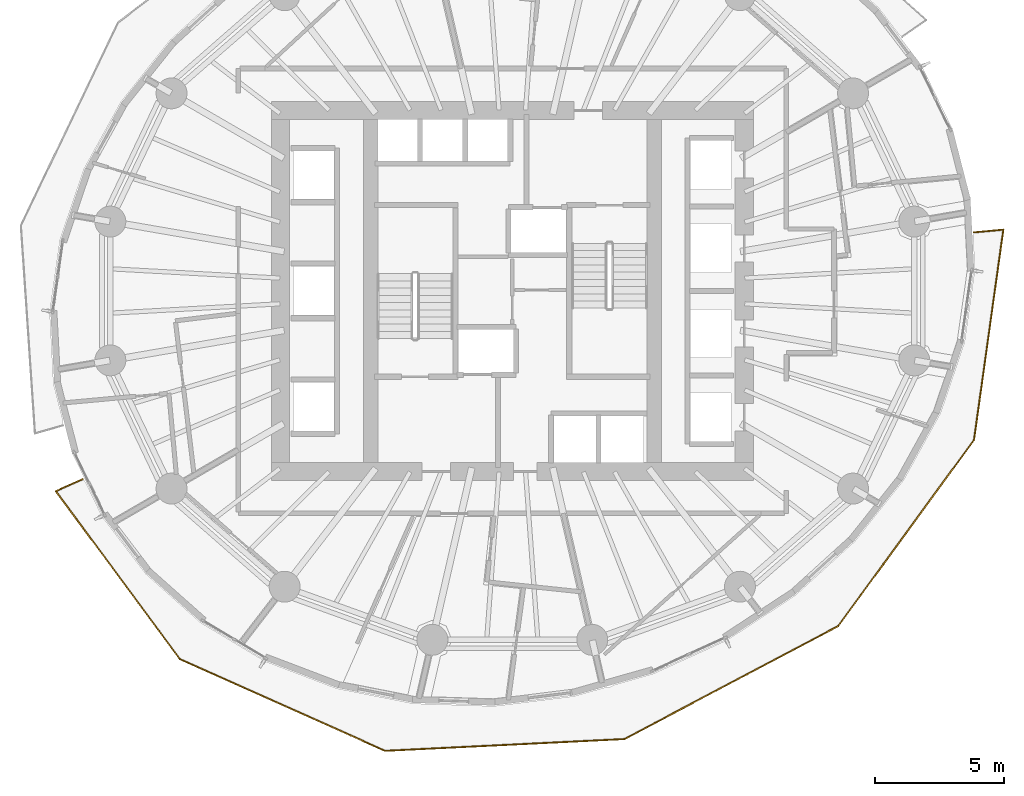
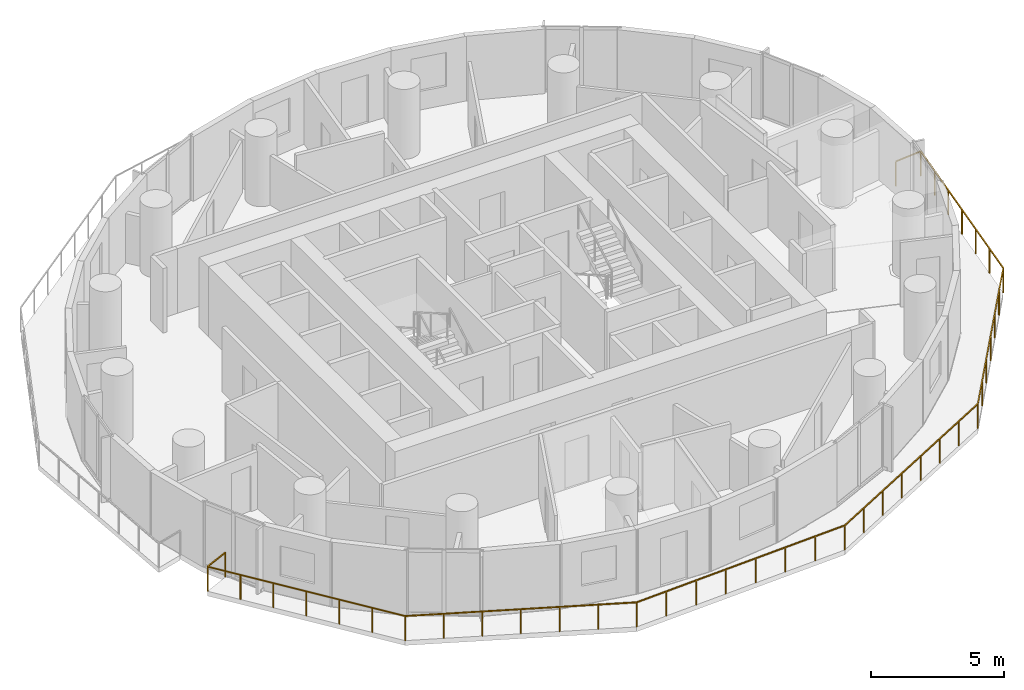
# One storey, part 12 of 14: 1 railing.
"""IFC4 building model written with IfcOpenShell, lengths in metres."""

from ifc_helpers import new_model, si_unit, direction, frame, origin, origin_2d, place, context, subcontext, project, spatial, rectangle, extrude, material, type_object, element, save


model = new_model("IFC4")

# Units and contexts
model_context = context("Model", 3, precision=1e-05, world=origin(), true_north=direction((0.0, 1.0)))
body_context = subcontext(model_context, "Body", "Model", "MODEL_VIEW")
ifc_project = project(units=[si_unit("LENGTHUNIT", "METRE"), si_unit("AREAUNIT", "SQUARE_METRE"), si_unit("VOLUMEUNIT", "CUBIC_METRE"), si_unit("PLANEANGLEUNIT", "RADIAN"), si_unit("MASSUNIT", "GRAM", prefix="KILO")], contexts=[model_context])

# Site, building, storey
site_placement = place(None, origin())
site = spatial("IfcSite", under=ifc_project, at=site_placement, CompositionType="ELEMENT")
building_placement = place(site_placement, origin())
building = spatial("IfcBuilding", under=site, at=building_placement, Name="Veldorim Arch Residences", CompositionType="ELEMENT")
storey_placement = place(building_placement, frame((0.0, 0.0, 90.080078125)))
storey = spatial("IfcBuildingStorey", under=building, at=storey_placement, Name="L26", CompositionType="ELEMENT", Elevation=90.080078125)

# Railing
ifc_material = material(Name="Aluminium", Category="aluminium")
railing_type = type_object("IfcRailingType", Name="Balcony & Terrace Laminated Glass Balustrade 1150", PredefinedType="BALUSTRADE", material=ifc_material)
railing_placement = place(storey_placement, frame((15.339111328125, 16.70263671875, 0.0)))
element("IfcRailing", 1, at=railing_placement, inside=storey, type_object=railing_type, Name="L26 crescent balcony safety balustrade B", PredefinedType="BALUSTRADE", context=body_context, shape_type="SweptSolid", body=[
    extrude(rectangle(XDim=0.048095703125, YDim=0.048095703125, at=origin_2d()), frame((0.0, 0.0, 1.1259765625), z_axis=(-0.912211245707, -0.40972020112, 0.0), x_axis=(0.40972020112, -0.912211245707, 0.0)), (0.0, 0.0, 1.0), 1.150146484375),
    extrude(rectangle(XDim=0.048095703125, YDim=0.048095703125, at=origin_2d()), frame((-1.049072265625, -0.47119140625, 1.1259765625), z_axis=(0.59404062481, -0.804435041551, 0.0), x_axis=(0.804435041551, 0.59404062481, 0.0)), (0.0, 0.0, 1.0), 8.091552734375),
    extrude(rectangle(XDim=0.048095703125, YDim=0.048095703125, at=origin_2d()), frame((3.757568359375, -6.980224609375, 1.1259765625), z_axis=(0.912853349964, -0.408287596504, 0.0), x_axis=(0.408287596504, 0.912853349964, 0.0)), (0.0, 0.0, 1.0), 8.733154296875),
    extrude(rectangle(XDim=0.048095703125, YDim=0.048095703125, at=origin_2d()), frame((11.729736328125, -10.5458984375, 1.1259765625), z_axis=(0.998791272983, 0.049152751828, 0.0), x_axis=(-0.049152751828, 0.998791272983, 0.0)), (0.0, 0.0, 1.0), 9.293212890625),
    extrude(rectangle(XDim=0.048095703125, YDim=0.048095703125, at=origin_2d()), frame((21.01171875, -10.089111328125, 1.1259765625), z_axis=(0.884029523632, 0.467431065877, 0.0), x_axis=(-0.467431065877, 0.884029523632, 0.0)), (0.0, 0.0, 1.0), 9.384765625),
    extrude(rectangle(XDim=0.048095703125, YDim=0.048095703125, at=origin_2d()), frame((29.30810546875, -5.702392578125, 1.1259765625), z_axis=(0.589419934087, 0.807826801549, 0.0), x_axis=(-0.807826801549, 0.589419934087, 0.0)), (0.0, 0.0, 1.0), 8.938232421875),
    extrude(rectangle(XDim=0.048095703125, YDim=0.048095703125, at=origin_2d()), frame((34.576416015625, 1.51806640625, 1.1259765625), z_axis=(0.138201439466, 0.990404140808, 0.0), x_axis=(-0.990404140808, 0.138201439466, 0.0)), (0.0, 0.0, 1.0), 8.2392578125),
    extrude(rectangle(XDim=0.048095703125, YDim=0.048095703125, at=origin_2d()), frame((35.715087890625, 9.67822265625, 1.1259765625), z_axis=(-0.995647779195, -0.093196028799, 0.0), x_axis=(0.093196028799, -0.995647779195, 0.0)), (0.0, 0.0, 1.0), 1.150146484375),
    extrude(rectangle(XDim=0.0419921875, YDim=0.0419921875, at=origin_2d()), origin(), (0.0, 0.0, 1.0), 1.101806640625),
    extrude(rectangle(XDim=0.0419921875, YDim=0.0419921875, at=origin_2d()), frame((-1.049072265625, -0.47119140625, 0.0)), (0.0, 0.0, 1.0), 1.101806640625),
    extrude(rectangle(XDim=0.0419921875, YDim=0.0419921875, at=origin_2d()), frame((-0.248046875, -1.55615234375, 0.0)), (0.0, 0.0, 1.0), 1.101806640625),
    extrude(rectangle(XDim=0.0419921875, YDim=0.0419921875, at=origin_2d()), frame((0.55322265625, -2.640869140625, 0.0)), (0.0, 0.0, 1.0), 1.101806640625),
    extrude(rectangle(XDim=0.0419921875, YDim=0.0419921875, at=origin_2d()), frame((1.354248046875, -3.7255859375, 0.0)), (0.0, 0.0, 1.0), 1.101806640625),
    extrude(rectangle(XDim=0.0419921875, YDim=0.0419921875, at=origin_2d()), frame((2.1552734375, -4.810546875, 0.0)), (0.0, 0.0, 1.0), 1.101806640625),
    extrude(rectangle(XDim=0.0419921875, YDim=0.0419921875, at=origin_2d()), frame((2.95654296875, -5.8955078125, 0.0)), (0.0, 0.0, 1.0), 1.101806640625),
    extrude(rectangle(XDim=0.0419921875, YDim=0.0419921875, at=origin_2d()), frame((3.757568359375, -6.980224609375, 0.0)), (0.0, 0.0, 1.0), 1.101806640625),
    extrude(rectangle(XDim=0.0419921875, YDim=0.0419921875, at=origin_2d()), frame((5.086181640625, -7.574462890625, 0.0)), (0.0, 0.0, 1.0), 1.101806640625),
    extrude(rectangle(XDim=0.0419921875, YDim=0.0419921875, at=origin_2d()), frame((6.4150390625, -8.168701171875, 0.0)), (0.0, 0.0, 1.0), 1.101806640625),
    extrude(rectangle(XDim=0.0419921875, YDim=0.0419921875, at=origin_2d()), frame((7.74365234375, -8.76318359375, 0.0)), (0.0, 0.0, 1.0), 1.101806640625),
    extrude(rectangle(XDim=0.0419921875, YDim=0.0419921875, at=origin_2d()), frame((9.072265625, -9.357421875, 0.0)), (0.0, 0.0, 1.0), 1.101806640625),
    extrude(rectangle(XDim=0.0419921875, YDim=0.0419921875, at=origin_2d()), frame((10.401123046875, -9.95166015625, 0.0)), (0.0, 0.0, 1.0), 1.101806640625),
    extrude(rectangle(XDim=0.0419921875, YDim=0.0419921875, at=origin_2d()), frame((11.729736328125, -10.5458984375, 0.0)), (0.0, 0.0, 1.0), 1.101806640625),
    extrude(rectangle(XDim=0.0419921875, YDim=0.0419921875, at=origin_2d()), frame((13.0556640625, -10.480712890625, 0.0)), (0.0, 0.0, 1.0), 1.101806640625),
    extrude(rectangle(XDim=0.0419921875, YDim=0.0419921875, at=origin_2d()), frame((14.3818359375, -10.415283203125, 0.0)), (0.0, 0.0, 1.0), 1.101806640625),
    extrude(rectangle(XDim=0.0419921875, YDim=0.0419921875, at=origin_2d()), frame((15.707763671875, -10.35009765625, 0.0)), (0.0, 0.0, 1.0), 1.101806640625),
    extrude(rectangle(XDim=0.0419921875, YDim=0.0419921875, at=origin_2d()), frame((17.03369140625, -10.284912109375, 0.0)), (0.0, 0.0, 1.0), 1.101806640625),
    extrude(rectangle(XDim=0.0419921875, YDim=0.0419921875, at=origin_2d()), frame((18.359619140625, -10.2197265625, 0.0)), (0.0, 0.0, 1.0), 1.101806640625),
    extrude(rectangle(XDim=0.0419921875, YDim=0.0419921875, at=origin_2d()), frame((19.685791015625, -10.154296875, 0.0)), (0.0, 0.0, 1.0), 1.101806640625),
    extrude(rectangle(XDim=0.0419921875, YDim=0.0419921875, at=origin_2d()), frame((21.01171875, -10.089111328125, 0.0)), (0.0, 0.0, 1.0), 1.101806640625),
    extrude(rectangle(XDim=0.0419921875, YDim=0.0419921875, at=origin_2d()), frame((22.197021484375, -9.46240234375, 0.0)), (0.0, 0.0, 1.0), 1.101806640625),
    extrude(rectangle(XDim=0.0419921875, YDim=0.0419921875, at=origin_2d()), frame((23.382080078125, -8.835693359375, 0.0)), (0.0, 0.0, 1.0), 1.101806640625),
    extrude(rectangle(XDim=0.0419921875, YDim=0.0419921875, at=origin_2d()), frame((24.5673828125, -8.208984375, 0.0)), (0.0, 0.0, 1.0), 1.101806640625),
    extrude(rectangle(XDim=0.0419921875, YDim=0.0419921875, at=origin_2d()), frame((25.75244140625, -7.58251953125, 0.0)), (0.0, 0.0, 1.0), 1.101806640625),
    extrude(rectangle(XDim=0.0419921875, YDim=0.0419921875, at=origin_2d()), frame((26.937744140625, -6.955810546875, 0.0)), (0.0, 0.0, 1.0), 1.101806640625),
    extrude(rectangle(XDim=0.0419921875, YDim=0.0419921875, at=origin_2d()), frame((28.122802734375, -6.3291015625, 0.0)), (0.0, 0.0, 1.0), 1.101806640625),
    extrude(rectangle(XDim=0.0419921875, YDim=0.0419921875, at=origin_2d()), frame((29.30810546875, -5.702392578125, 0.0)), (0.0, 0.0, 1.0), 1.101806640625),
    extrude(rectangle(XDim=0.0419921875, YDim=0.0419921875, at=origin_2d()), frame((30.18603515625, -4.4990234375, 0.0)), (0.0, 0.0, 1.0), 1.101806640625),
    extrude(rectangle(XDim=0.0419921875, YDim=0.0419921875, at=origin_2d()), frame((31.064208984375, -3.295654296875, 0.0)), (0.0, 0.0, 1.0), 1.101806640625),
    extrude(rectangle(XDim=0.0419921875, YDim=0.0419921875, at=origin_2d()), frame((31.9423828125, -2.09228515625, 0.0)), (0.0, 0.0, 1.0), 1.101806640625),
    extrude(rectangle(XDim=0.0419921875, YDim=0.0419921875, at=origin_2d()), frame((32.8203125, -0.888671875, 0.0)), (0.0, 0.0, 1.0), 1.101806640625),
    extrude(rectangle(XDim=0.0419921875, YDim=0.0419921875, at=origin_2d()), frame((33.6982421875, 0.314697265625, 0.0)), (0.0, 0.0, 1.0), 1.101806640625),
    extrude(rectangle(XDim=0.0419921875, YDim=0.0419921875, at=origin_2d()), frame((34.576416015625, 1.51806640625, 0.0)), (0.0, 0.0, 1.0), 1.101806640625),
    extrude(rectangle(XDim=0.0419921875, YDim=0.0419921875, at=origin_2d()), frame((34.76611328125, 2.878173828125, 0.0)), (0.0, 0.0, 1.0), 1.101806640625),
    extrude(rectangle(XDim=0.0419921875, YDim=0.0419921875, at=origin_2d()), frame((34.9560546875, 4.238037109375, 0.0)), (0.0, 0.0, 1.0), 1.101806640625),
    extrude(rectangle(XDim=0.0419921875, YDim=0.0419921875, at=origin_2d()), frame((35.145751953125, 5.59814453125, 0.0)), (0.0, 0.0, 1.0), 1.101806640625),
    extrude(rectangle(XDim=0.0419921875, YDim=0.0419921875, at=origin_2d()), frame((35.33544921875, 6.958251953125, 0.0)), (0.0, 0.0, 1.0), 1.101806640625),
    extrude(rectangle(XDim=0.0419921875, YDim=0.0419921875, at=origin_2d()), frame((35.525390625, 8.318115234375, 0.0)), (0.0, 0.0, 1.0), 1.101806640625),
    extrude(rectangle(XDim=0.0419921875, YDim=0.0419921875, at=origin_2d()), frame((35.715087890625, 9.67822265625, 0.0)), (0.0, 0.0, 1.0), 1.101806640625),
    extrude(rectangle(XDim=0.0419921875, YDim=0.0419921875, at=origin_2d()), frame((34.570068359375, 9.571044921875, 0.0)), (0.0, 0.0, 1.0), 1.101806640625),
])

save(model, "model.ifc")
